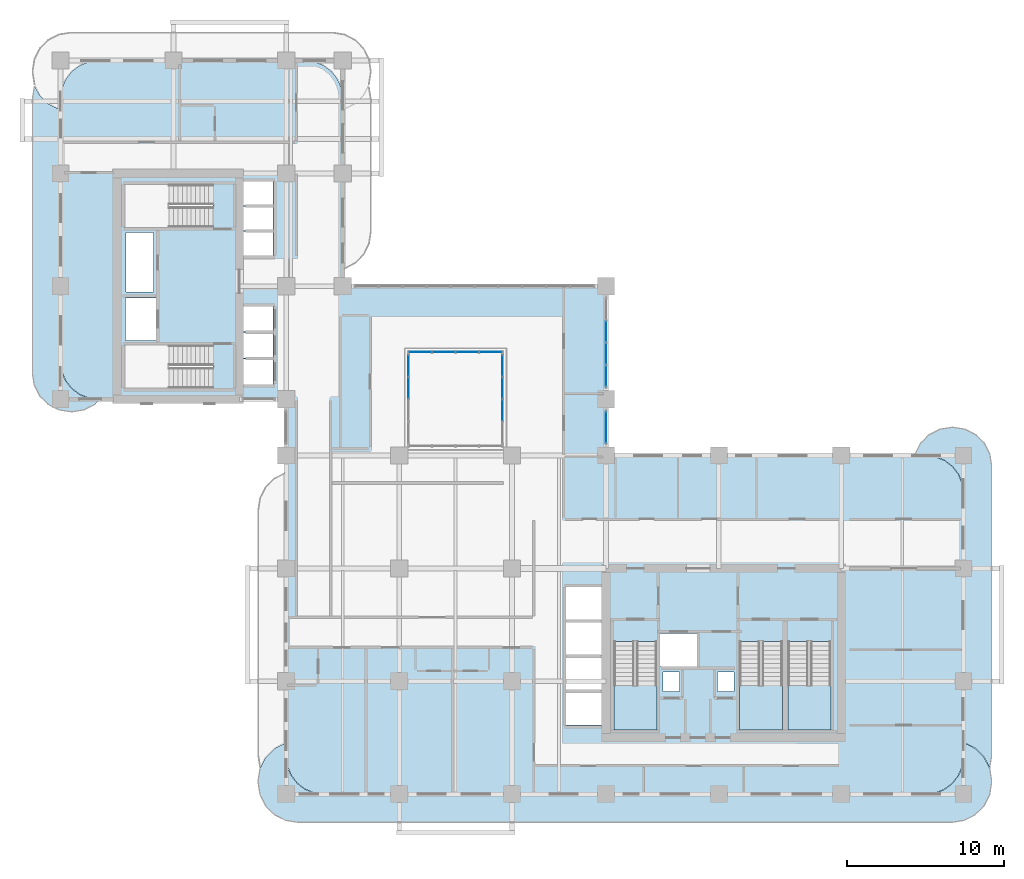
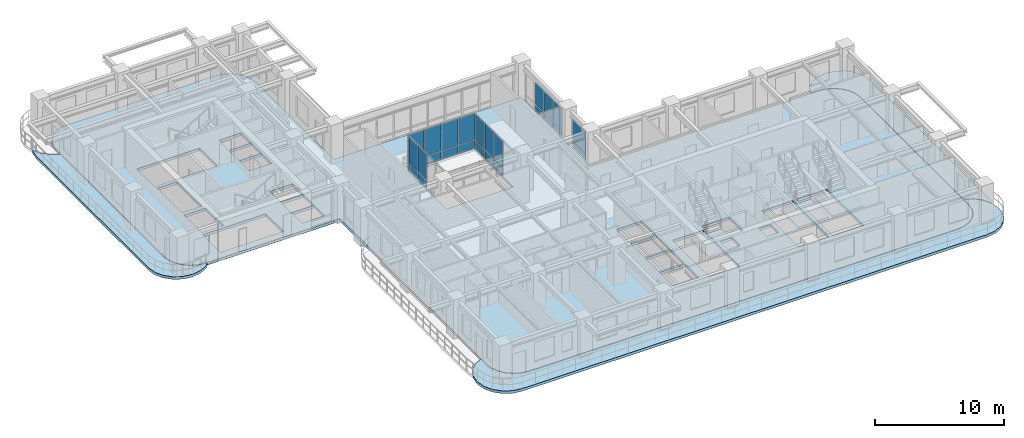
# One storey, part 10 of 22: 26 plates, 7 slabs, 8 elements without a shape of their own.
"""IFC4 building model written with IfcOpenShell, lengths in metres."""

from ifc_helpers import new_model, si_unit, derived_unit, direction, frame, origin, origin_2d, place, context, subcontext, project, spatial, polyline, rectangle, outline, extrude, source, transform, mapped, material, layer, layer_set, type_object, element, aggregate, save


model = new_model("IFC4")

# Units and contexts
model_context = context("Model", 3, precision=1e-05, world=origin(), true_north=direction((0.0, 1.0)))
body_context = subcontext(model_context, "Body", "Model", "MODEL_VIEW")
ifc_project = project(units=[si_unit("LENGTHUNIT", "METRE"), si_unit("AREAUNIT", "SQUARE_METRE"), si_unit("VOLUMEUNIT", "CUBIC_METRE"), si_unit("PLANEANGLEUNIT", "RADIAN"), si_unit("MASSUNIT", "GRAM", prefix="KILO"), si_unit("THERMODYNAMICTEMPERATUREUNIT", "KELVIN"), si_unit("POWERUNIT", "WATT"), derived_unit("THERMALTRANSMITTANCEUNIT", [(si_unit("POWERUNIT", "WATT"), 1), (si_unit("AREAUNIT", "SQUARE_METRE"), -1), (si_unit("THERMODYNAMICTEMPERATUREUNIT", "KELVIN"), -1)])], contexts=[model_context])

# Site, building, storey
site_placement = place(None, origin())
site = spatial("IfcSite", under=ifc_project, at=site_placement, CompositionType="ELEMENT")
building_placement = place(site_placement, origin())
building = spatial("IfcBuilding", under=site, at=building_placement, Name="Zahravan Archway Hotel and Residences", CompositionType="ELEMENT")
storey_placement = place(building_placement, frame((0.0, 0.0, 80.5)))
storey = spatial("IfcBuildingStorey", under=building, at=storey_placement, Name="L19", CompositionType="ELEMENT", Elevation=80.5)

# Slabs
ifc_material_1 = material(Name="Concrete C45/55", Category="concrete")
ifc_layer_1 = layer(ifc_material_1, 0.25, Name="Concrete C45/55", Category="concrete")
ifc_layer_set_1 = layer_set([ifc_layer_1], Name="Concrete C45/55")
slab_type_1 = type_object("IfcSlabType", Name="SLB-BALC-250", PredefinedType="FLOOR", material=ifc_layer_set_1)
slab_1_placement = place(storey_placement, frame((0.0, 0.0, -0.25)))
element("IfcSlab", 1, at=slab_1_placement, inside=storey, type_object=slab_type_1, Name="L19 Wing A South Rounded Balcony Band", PredefinedType="FLOOR", context=body_context, shape_type="SweptSolid", body=[
    extrude(outline(polyline([(57.637939453125, 3.275146484375), (58.348876953125, 2.9130859375), (58.9130859375, 2.348876953125), (59.275146484375, 1.637939453125), (59.39990234375, 0.85009765625), (59.39990234375, 0.75), (59.275146484375, -0.0380859375), (58.9130859375, -0.748779296875), (58.348876953125, -1.31298828125), (57.637939453125, -1.67529296875), (56.85009765625, -1.800048828125), (15.14990234375, -1.800048828125), (14.362060546875, -1.67529296875), (13.651123046875, -1.31298828125), (13.0869140625, -0.748779296875), (12.724853515625, -0.0380859375), (12.60009765625, 0.75), (12.60009765625, 0.85009765625), (12.724853515625, 1.637939453125), (13.0869140625, 2.348876953125), (13.651123046875, 2.9130859375), (14.362060546875, 3.275146484375), (14.3798828125, 3.278076171875), (14.3798828125, 2.39990234375), (14.380126953125, 2.3974609375), (14.4619140625, 1.776123046875), (14.46240234375, 1.7744140625), (14.462646484375, 1.772705078125), (14.46337890625, 1.77099609375), (14.702880859375, 1.1923828125), (14.703857421875, 1.19091796875), (14.70458984375, 1.189208984375), (14.70556640625, 1.187744140625), (15.0869140625, 0.690673828125), (15.088134765625, 0.689453125), (15.08935546875, 0.688232421875), (15.0908203125, 0.68701171875), (15.587890625, 0.3056640625), (15.58935546875, 0.3046875), (15.5908203125, 0.3037109375), (15.59228515625, 0.302978515625), (16.171142578125, 0.063232421875), (16.1728515625, 0.062744140625), (16.174560546875, 0.062255859375), (16.17626953125, 0.06201171875), (16.79736328125, -0.019775390625), (16.800048828125, -0.02001953125), (55.199951171875, -0.02001953125), (55.20263671875, -0.019775390625), (55.82373046875, 0.06201171875), (55.825439453125, 0.062255859375), (55.8271484375, 0.062744140625), (55.828857421875, 0.063232421875), (56.40771484375, 0.302978515625), (56.4091796875, 0.3037109375), (56.41064453125, 0.3046875), (56.412109375, 0.3056640625), (56.9091796875, 0.68701171875), (56.91064453125, 0.688232421875), (56.911865234375, 0.689453125), (56.9130859375, 0.690673828125), (57.29443359375, 1.187744140625), (57.29541015625, 1.189208984375), (57.296142578125, 1.19091796875), (57.297119140625, 1.1923828125), (57.53662109375, 1.77099609375), (57.537353515625, 1.772705078125), (57.53759765625, 1.7744140625), (57.5380859375, 1.776123046875), (57.619873046875, 2.3974609375), (57.6201171875, 2.39990234375), (57.6201171875, 3.278076171875), (57.637939453125, 3.275146484375)])), origin(), (0.0, 0.0, 1.0), 0.25),
])
slab_2_placement = place(storey_placement, frame((0.0, 0.0, -0.25)))
element("IfcSlab", 2, at=slab_2_placement, inside=storey, type_object=slab_type_1, Name="L19 Wing A East Rounded Balcony Band", PredefinedType="FLOOR", context=body_context, shape_type="SweptSolid", body=[
    extrude(outline(polyline([(54.52001953125, 21.70703125), (54.867919921875, 22.39013671875), (55.409912109375, 22.93212890625), (56.093017578125, 23.280029296875), (56.85009765625, 23.39990234375), (56.949951171875, 23.39990234375), (57.70703125, 23.280029296875), (58.39013671875, 22.93212890625), (58.93212890625, 22.39013671875), (59.280029296875, 21.70703125), (59.39990234375, 20.949951171875), (59.39990234375, 2.449951171875), (59.280029296875, 1.69287109375), (59.27490234375, 1.6826171875), (58.930908203125, 2.35791015625), (58.9296875, 2.35986328125), (58.928466796875, 2.361572265625), (58.927001953125, 2.363037109375), (58.363037109375, 2.927001953125), (58.361572265625, 2.928466796875), (58.35986328125, 2.9296875), (58.35791015625, 2.930908203125), (57.647216796875, 3.29296875), (57.645263671875, 3.2939453125), (57.643310546875, 3.29443359375), (57.64111328125, 3.294921875), (57.623046875, 3.2978515625), (57.62109375, 3.298095703125), (57.6201171875, 3.298095703125), (57.6201171875, 19.199951171875), (57.619873046875, 19.20263671875), (57.5380859375, 19.82373046875), (57.53759765625, 19.825439453125), (57.537353515625, 19.8271484375), (57.53662109375, 19.828857421875), (57.297119140625, 20.40771484375), (57.296142578125, 20.4091796875), (57.29541015625, 20.41064453125), (57.29443359375, 20.412109375), (56.9130859375, 20.9091796875), (56.911865234375, 20.91064453125), (56.91064453125, 20.911865234375), (56.9091796875, 20.9130859375), (56.412109375, 21.29443359375), (56.41064453125, 21.29541015625), (56.4091796875, 21.296142578125), (56.40771484375, 21.297119140625), (55.828857421875, 21.53662109375), (55.8271484375, 21.537353515625), (55.825439453125, 21.53759765625), (55.82373046875, 21.5380859375), (55.20263671875, 21.619873046875), (55.199951171875, 21.6201171875), (54.506103515625, 21.6201171875), (54.52001953125, 21.70703125)])), origin(), (0.0, 0.0, 1.0), 0.25),
])
slab_3_placement = place(storey_placement, frame((0.0, 0.0, -0.25)))
element("IfcSlab", 3, at=slab_3_placement, inside=storey, type_object=slab_type_1, Name="L19 Wing B West Rounded Balcony Band", PredefinedType="FLOOR", context=body_context, shape_type="SweptSolid", body=[
    extrude(outline(polyline([(2.190185546875, 24.867919921875), (1.507080078125, 24.52001953125), (0.75, 24.39990234375), (0.64990234375, 24.39990234375), (-0.107177734375, 24.52001953125), (-0.7900390625, 24.867919921875), (-1.33203125, 25.409912109375), (-1.68017578125, 26.093017578125), (-1.800048828125, 26.85009765625), (-1.800048828125, 44.35009765625), (-1.68017578125, 45.107177734375), (-1.64404296875, 45.177978515625), (-1.349853515625, 44.600830078125), (-1.348876953125, 44.59912109375), (-1.34765625, 44.597412109375), (-1.34619140625, 44.595703125), (-0.80419921875, 44.0537109375), (-0.802734375, 44.052490234375), (-0.801025390625, 44.051025390625), (-0.79931640625, 44.050048828125), (-0.1162109375, 43.7021484375), (-0.1142578125, 43.701171875), (-0.1123046875, 43.70068359375), (-0.110107421875, 43.7001953125), (-0.023193359375, 43.686279296875), (-0.021240234375, 43.68603515625), (-0.02001953125, 43.68603515625), (-0.02001953125, 27.60009765625), (-0.019775390625, 27.597412109375), (0.06201171875, 26.976318359375), (0.062255859375, 26.974609375), (0.062744140625, 26.972900390625), (0.063232421875, 26.97119140625), (0.302978515625, 26.392333984375), (0.3037109375, 26.390869140625), (0.3046875, 26.389404296875), (0.3056640625, 26.3876953125), (0.68701171875, 25.890625), (0.688232421875, 25.889404296875), (0.689453125, 25.88818359375), (0.690673828125, 25.886962890625), (1.187744140625, 25.505615234375), (1.189208984375, 25.504638671875), (1.19091796875, 25.50390625), (1.1923828125, 25.5029296875), (1.77099609375, 25.26318359375), (1.772705078125, 25.2626953125), (1.7744140625, 25.26220703125), (1.776123046875, 25.261962890625), (2.3974609375, 25.18017578125), (2.39990234375, 25.179931640625), (2.502197265625, 25.179931640625), (2.190185546875, 24.867919921875)])), origin(), (0.0, 0.0, 1.0), 0.25),
])
ifc_layer_2 = layer(ifc_material_1, 0.25, Name="Concrete C45/55", Category="concrete")
ifc_layer_set_2 = layer_set([ifc_layer_2], Name="Concrete C45/55")
slab_type_2 = type_object("IfcSlabType", Name="SLB-FLR-250", PredefinedType="FLOOR", material=ifc_layer_set_2)
slab_4_placement = place(storey_placement, frame((0.0, 0.0, -0.25)))
element("IfcSlab", 4, at=slab_4_placement, inside=storey, type_object=slab_type_2, Name="L19 Floor Slab LB", PredefinedType="FLOOR", context=body_context, shape_type="SweptSolid", body=[
    extrude(outline(polyline([(34.800048828125, 21.60009765625), (34.800048828125, 32.39990234375), (18.0, 32.39990234375), (18.0, 44.39990234375), (17.918212890625, 45.021240234375), (17.678466796875, 45.60009765625), (17.297119140625, 46.09716796875), (16.800048828125, 46.478515625), (16.22119140625, 46.71826171875), (15.60009765625, 46.800048828125), (2.39990234375, 46.800048828125), (1.77880859375, 46.71826171875), (1.199951171875, 46.478515625), (0.702880859375, 46.09716796875), (0.321533203125, 45.60009765625), (0.081787109375, 45.021240234375), (0.0, 44.39990234375), (0.0, 27.60009765625), (0.081787109375, 26.978759765625), (0.321533203125, 26.39990234375), (0.702880859375, 25.90283203125), (1.199951171875, 25.521484375), (1.77880859375, 25.28173828125), (2.39990234375, 25.199951171875), (14.39990234375, 25.199951171875), (14.39990234375, 19.199951171875), (14.39990234375, 19.10009765625), (14.39990234375, 2.39990234375), (14.481689453125, 1.77880859375), (14.721435546875, 1.199951171875), (15.102783203125, 0.702880859375), (15.60009765625, 0.321533203125), (16.1787109375, 0.081787109375), (16.800048828125, 0.0), (55.199951171875, 0.0), (55.8212890625, 0.081787109375), (56.39990234375, 0.321533203125), (56.897216796875, 0.702880859375), (57.278564453125, 1.199951171875), (57.518310546875, 1.77880859375), (57.60009765625, 2.39990234375), (57.60009765625, 19.199951171875), (57.518310546875, 19.8212890625), (57.278564453125, 20.39990234375), (56.897216796875, 20.897216796875), (56.39990234375, 21.278564453125), (55.8212890625, 21.518310546875), (55.199951171875, 21.60009765625), (34.800048828125, 21.60009765625)]), holes=[polyline([(35.300048828125, 9.72998046875), (35.300048828125, 4.10009765625), (38.0400390625, 4.10009765625), (38.0400390625, 9.72998046875), (35.300048828125, 9.72998046875)]), polyline([(43.320068359375, 9.72998046875), (43.320068359375, 4.10009765625), (46.06005859375, 4.10009765625), (46.06005859375, 9.72998046875), (43.320068359375, 9.72998046875)]), polyline([(46.39990234375, 9.72998046875), (46.39990234375, 4.10009765625), (49.139892578125, 4.10009765625), (49.139892578125, 9.72998046875), (46.39990234375, 9.72998046875)]), polyline([(9.72998046875, 28.639892578125), (4.10009765625, 28.639892578125), (4.10009765625, 25.89990234375), (9.72998046875, 25.89990234375), (9.72998046875, 28.639892578125)]), polyline([(9.72998046875, 38.89990234375), (4.10009765625, 38.89990234375), (4.10009765625, 36.159912109375), (9.72998046875, 36.159912109375), (9.72998046875, 38.89990234375)]), polyline([(38.179931640625, 8.14990234375), (40.699951171875, 8.14990234375), (40.699951171875, 10.25), (38.179931640625, 10.25), (38.179931640625, 8.14990234375)]), polyline([(4.14990234375, 28.949951171875), (6.10009765625, 28.949951171875), (6.10009765625, 31.64990234375), (4.14990234375, 31.64990234375), (4.14990234375, 28.949951171875)]), polyline([(11.550048828125, 26.14990234375), (13.550048828125, 26.14990234375), (13.550048828125, 27.75), (11.550048828125, 27.75), (11.550048828125, 26.14990234375)]), polyline([(11.550048828125, 27.830078125), (13.550048828125, 27.830078125), (13.550048828125, 29.429931640625), (11.550048828125, 29.429931640625), (11.550048828125, 27.830078125)]), polyline([(11.550048828125, 29.510009765625), (13.550048828125, 29.510009765625), (13.550048828125, 31.110107421875), (11.550048828125, 31.110107421875), (11.550048828125, 29.510009765625)]), polyline([(11.550048828125, 34.35009765625), (13.550048828125, 34.35009765625), (13.550048828125, 35.889892578125), (11.550048828125, 35.889892578125), (11.550048828125, 34.35009765625)]), polyline([(11.550048828125, 35.949951171875), (13.550048828125, 35.949951171875), (13.550048828125, 37.489990234375), (11.550048828125, 37.489990234375), (11.550048828125, 35.949951171875)]), polyline([(11.550048828125, 37.550048828125), (13.550048828125, 37.550048828125), (13.550048828125, 39.090087890625), (11.550048828125, 39.090087890625), (11.550048828125, 37.550048828125)]), polyline([(32.25, 4.39990234375), (34.550048828125, 4.39990234375), (34.550048828125, 6.47998046875), (32.25, 6.47998046875), (32.25, 4.39990234375)]), polyline([(32.25, 6.639892578125), (34.550048828125, 6.639892578125), (34.550048828125, 8.719970703125), (32.25, 8.719970703125), (32.25, 6.639892578125)]), polyline([(32.25, 8.8798828125), (34.550048828125, 8.8798828125), (34.550048828125, 10.9599609375), (32.25, 10.9599609375), (32.25, 8.8798828125)]), polyline([(32.25, 11.1201171875), (34.550048828125, 11.1201171875), (34.550048828125, 13.199951171875), (32.25, 13.199951171875), (32.25, 11.1201171875)]), polyline([(22.199951171875, 22.199951171875), (28.199951171875, 22.199951171875), (28.199951171875, 28.199951171875), (22.199951171875, 28.199951171875), (22.199951171875, 22.199951171875)]), polyline([(38.419921875, 6.56005859375), (39.5, 6.56005859375), (39.5, 7.780029296875), (38.419921875, 7.780029296875), (38.419921875, 6.56005859375)]), polyline([(41.89990234375, 6.56005859375), (42.9599609375, 6.56005859375), (42.9599609375, 7.780029296875), (41.89990234375, 7.780029296875), (41.89990234375, 6.56005859375)]), polyline([(4.179931640625, 32.050048828125), (5.93994140625, 32.050048828125), (5.93994140625, 35.840087890625), (4.179931640625, 35.840087890625), (4.179931640625, 32.050048828125)])]), origin(), (0.0, 0.0, 1.0), 0.25),
])

# Stair, slab
ifc_material_2 = material(Name="Concrete C50/60", Category="concrete")
stair_type = type_object("IfcStairType", Name="STR-CORE-1300", PredefinedType="HALF_TURN_STAIR", material=ifc_material_2)
stair_1_placement = place(storey_placement, origin())
stair_1 = element("IfcStair", 5, at=stair_1_placement, inside=storey, type_object=stair_type, Name="L19 Core A Exit Stair 1", PredefinedType="HALF_TURN_STAIR")
ifc_layer_3 = layer(ifc_material_2, 0.199951171875, Name="Concrete C50/60", Category="concrete")
ifc_layer_set_3 = layer_set([ifc_layer_3], Name="Concrete C50/60")
slab_type_3 = type_object("IfcSlabType", Name="SLB-LND-200", PredefinedType="LANDING", material=ifc_layer_set_3)
slab_5_placement = place(storey_placement, frame((0.0, 0.0, 1.64990234375)))
slab_5 = element("IfcSlab", 6, at=slab_5_placement, type_object=slab_type_3, Name="ST-A1 landing 1", PredefinedType="LANDING", context=body_context, shape_type="SweptSolid", body=[
    extrude(outline(polyline([(35.300048828125, 6.929931640625), (35.300048828125, 4.10009765625), (38.0400390625, 4.10009765625), (38.0400390625, 6.929931640625), (35.300048828125, 6.929931640625)])), origin(), (0.0, 0.0, 1.0), 0.2001953125),
])
aggregate(stair_1, [slab_5])

stair_2_placement = place(storey_placement, origin())
stair_2 = element("IfcStair", 7, at=stair_2_placement, inside=storey, type_object=stair_type, Name="L19 Core A Exit Stair 2", PredefinedType="HALF_TURN_STAIR")
slab_6_placement = place(storey_placement, frame((0.0, 0.0, 1.64990234375)))
slab_6 = element("IfcSlab", 8, at=slab_6_placement, type_object=slab_type_3, Name="ST-A2 landing 1", PredefinedType="LANDING", context=body_context, shape_type="SweptSolid", body=[
    extrude(outline(polyline([(43.320068359375, 6.929931640625), (43.320068359375, 4.10009765625), (46.06005859375, 4.10009765625), (46.06005859375, 6.929931640625), (43.320068359375, 6.929931640625)])), origin(), (0.0, 0.0, 1.0), 0.2001953125),
])
aggregate(stair_2, [slab_6])

stair_3_placement = place(storey_placement, origin())
stair_3 = element("IfcStair", 9, at=stair_3_placement, inside=storey, type_object=stair_type, Name="L19 Core A Exit Stair 3", PredefinedType="HALF_TURN_STAIR")
slab_7_placement = place(storey_placement, frame((0.0, 0.0, 1.64990234375)))
slab_7 = element("IfcSlab", 10, at=slab_7_placement, type_object=slab_type_3, Name="ST-A3 landing 1", PredefinedType="LANDING", context=body_context, shape_type="SweptSolid", body=[
    extrude(outline(polyline([(46.39990234375, 6.929931640625), (46.39990234375, 4.10009765625), (49.139892578125, 4.10009765625), (49.139892578125, 6.929931640625), (46.39990234375, 6.929931640625)])), origin(), (0.0, 0.0, 1.0), 0.2001953125),
])
aggregate(stair_3, [slab_7])

# Curtain wall, plates
ifc_material_3 = material(Name="Bronze-Anodized Unitised Aluminium & Low-E Glass", Category="aluminium")
ifc_layer_4 = layer(ifc_material_3, 0.179931640625, Name="Bronze-Anodized Unitised Aluminium & Low-E Glass", Category="aluminium")
ifc_layer_set_4 = layer_set([ifc_layer_4], Name="Bronze-Anodized Unitised Aluminium & Low-E Glass")
curtain_wall_type = type_object("IfcCurtainWallType", Name="CW-ATR-GLAZ", PredefinedType="NOTDEFINED", material=ifc_layer_set_4)
curtain_wall_1_placement = place(storey_placement, origin())
curtain_wall_1 = element("IfcCurtainWall", 11, at=curtain_wall_1_placement, inside=storey, type_object=curtain_wall_type, Name="L19 Curtain Wall CW-L19-HNG-E-2", PredefinedType="NOTDEFINED")
ifc_material_4 = material(Name="Insulated Terracotta Spandrel Panel", Category="masonry")
ifc_layer_5 = layer(ifc_material_4, 0.0400390625, Name="Insulated Terracotta Spandrel Panel", Category="masonry")
ifc_layer_set_5 = layer_set([ifc_layer_5], Name="Insulated Terracotta Spandrel Panel")
plate_type_1 = type_object("IfcPlateType", Name="CWP-SPN-40", PredefinedType="SHEET", material=ifc_layer_set_5)
shared_shape_1 = source(origin(), body_context, "Body", "SweptSolid", [
    extrude(rectangle(XDim=1.340087890625, YDim=0.0400390625, at=origin_2d()), origin(), (0.0, 0.0, 1.0), 0.552490234375),
])
plate_1_placement = place(storey_placement, frame((34.800048828125, 26.669921875, 0.10009765625), z_axis=(0.0, 0.0, 1.0), x_axis=(0.0, 1.0, 0.0)))
plate_1 = element("IfcPlate", 12, at=plate_1_placement, type_object=plate_type_1, Name="CW-L19-HNG-E-2 Spandrel Panel 0", PredefinedType="SHEET", context=body_context, shape_type="MappedRepresentation", body=[
    mapped(shared_shape_1, transform((0.0, 0.0, 0.0), scale=1.0)),
])
plate_2_placement = place(storey_placement, frame((34.800048828125, 28.090087890625, 0.10009765625), z_axis=(0.0, 0.0, 1.0), x_axis=(0.0, 1.0, 0.0)))
plate_2 = element("IfcPlate", 13, at=plate_2_placement, type_object=plate_type_1, Name="CW-L19-HNG-E-2 Spandrel Panel 1", PredefinedType="SHEET", context=body_context, shape_type="MappedRepresentation", body=[
    mapped(shared_shape_1, transform((0.0, 0.0, 0.0), scale=1.0)),
])
plate_3_placement = place(storey_placement, frame((34.800048828125, 29.510009765625, 0.10009765625), z_axis=(0.0, 0.0, 1.0), x_axis=(0.0, 1.0, 0.0)))
plate_3 = element("IfcPlate", 14, at=plate_3_placement, type_object=plate_type_1, Name="CW-L19-HNG-E-2 Spandrel Panel 2", PredefinedType="SHEET", context=body_context, shape_type="MappedRepresentation", body=[
    mapped(shared_shape_1, transform((0.0, 0.0, 0.0), scale=1.0)),
])
ifc_material_5 = material(Name="Double-Silver Low-E Insulated Vision Glass", Category="glass")
ifc_layer_6 = layer(ifc_material_5, 0.028076171875, Name="Double-Silver Low-E Insulated Vision Glass", Category="glass")
ifc_layer_set_6 = layer_set([ifc_layer_6], Name="Double-Silver Low-E Insulated Vision Glass")
plate_type_2 = type_object("IfcPlateType", Name="CWP-GLZ-28", PredefinedType="CURTAIN_PANEL", material=ifc_layer_set_6)
shared_shape_2 = source(origin(), body_context, "Body", "SweptSolid", [
    extrude(rectangle(XDim=1.340087890625, YDim=0.028076171875, at=origin_2d()), origin(), (0.0, 0.0, 1.0), 2.052490234375),
])
plate_4_placement = place(storey_placement, frame((34.800048828125, 26.669921875, 0.732421875), z_axis=(0.0, 0.0, 1.0), x_axis=(0.0, 1.0, 0.0)))
plate_4 = element("IfcPlate", 15, at=plate_4_placement, type_object=plate_type_2, Name="CW-L19-HNG-E-2 Low-E Vision Panel 0", PredefinedType="CURTAIN_PANEL", context=body_context, shape_type="MappedRepresentation", body=[
    mapped(shared_shape_2, transform((0.0, 0.0, 0.0), scale=1.0)),
])
plate_5_placement = place(storey_placement, frame((34.800048828125, 28.090087890625, 0.732421875), z_axis=(0.0, 0.0, 1.0), x_axis=(0.0, 1.0, 0.0)))
plate_5 = element("IfcPlate", 16, at=plate_5_placement, type_object=plate_type_2, Name="CW-L19-HNG-E-2 Low-E Vision Panel 1", PredefinedType="CURTAIN_PANEL", context=body_context, shape_type="MappedRepresentation", body=[
    mapped(shared_shape_2, transform((0.0, 0.0, 0.0), scale=1.0)),
])
plate_6_placement = place(storey_placement, frame((34.800048828125, 29.510009765625, 0.732421875), z_axis=(0.0, 0.0, 1.0), x_axis=(0.0, 1.0, 0.0)))
plate_6 = element("IfcPlate", 17, at=plate_6_placement, type_object=plate_type_2, Name="CW-L19-HNG-E-2 Low-E Vision Panel 2", PredefinedType="CURTAIN_PANEL", context=body_context, shape_type="MappedRepresentation", body=[
    mapped(shared_shape_2, transform((0.0, 0.0, 0.0), scale=1.0)),
])
aggregate(curtain_wall_1, [plate_1, plate_4, plate_2, plate_5, plate_3, plate_6])

curtain_wall_2_placement = place(storey_placement, origin())
curtain_wall_2 = element("IfcCurtainWall", 18, at=curtain_wall_2_placement, inside=storey, type_object=curtain_wall_type, Name="L19 Curtain Wall CW-L19-HNG-E-1", PredefinedType="NOTDEFINED")
shared_shape_3 = source(origin(), body_context, "Body", "SweptSolid", [
    extrude(rectangle(XDim=2.0, YDim=0.0400390625, at=origin_2d()), origin(), (0.0, 0.0, 1.0), 0.552490234375),
])
plate_7_placement = place(storey_placement, frame((34.800048828125, 23.39990234375, 0.10009765625), z_axis=(0.0, 0.0, 1.0), x_axis=(0.0, 1.0, 0.0)))
plate_7 = element("IfcPlate", 19, at=plate_7_placement, type_object=plate_type_1, Name="CW-L19-HNG-E-1 Spandrel Panel 0", PredefinedType="SHEET", context=body_context, shape_type="MappedRepresentation", body=[
    mapped(shared_shape_3, transform((0.0, 0.0, 0.0), scale=1.0)),
])
shared_shape_4 = source(origin(), body_context, "Body", "SweptSolid", [
    extrude(rectangle(XDim=2.0, YDim=0.028076171875, at=origin_2d()), origin(), (0.0, 0.0, 1.0), 2.052490234375),
])
plate_8_placement = place(storey_placement, frame((34.800048828125, 23.39990234375, 0.732421875), z_axis=(0.0, 0.0, 1.0), x_axis=(0.0, 1.0, 0.0)))
plate_8 = element("IfcPlate", 20, at=plate_8_placement, type_object=plate_type_2, Name="CW-L19-HNG-E-1 Low-E Vision Panel 0", PredefinedType="CURTAIN_PANEL", context=body_context, shape_type="MappedRepresentation", body=[
    mapped(shared_shape_4, transform((0.0, 0.0, 0.0), scale=1.0)),
])
aggregate(curtain_wall_2, [plate_7, plate_8])

curtain_wall_3_placement = place(storey_placement, origin())
curtain_wall_3 = element("IfcCurtainWall", 21, at=curtain_wall_3_placement, inside=storey, type_object=curtain_wall_type, Name="L19 Curtain Wall CW-ATR-L19-N-1", PredefinedType="NOTDEFINED")
shared_shape_5 = source(origin(), body_context, "Body", "SweptSolid", [
    extrude(rectangle(XDim=1.419921875, YDim=0.0400390625, at=origin_2d()), origin(), (0.0, 0.0, 1.0), 0.68798828125),
])
plate_9_placement = place(storey_placement, frame((22.949951171875, 28.199951171875, 0.10009765625), z_axis=(0.0, 0.0, 1.0), x_axis=(1.0, 0.0, 0.0)))
plate_9 = element("IfcPlate", 22, at=plate_9_placement, type_object=plate_type_1, Name="CW-ATR-L19-N-1 Spandrel Panel 0", PredefinedType="SHEET", context=body_context, shape_type="MappedRepresentation", body=[
    mapped(shared_shape_5, transform((0.0, 0.0, 0.0), scale=1.0)),
])
plate_10_placement = place(storey_placement, frame((24.449951171875, 28.199951171875, 0.10009765625), z_axis=(0.0, 0.0, 1.0), x_axis=(1.0, 0.0, 0.0)))
plate_10 = element("IfcPlate", 23, at=plate_10_placement, type_object=plate_type_1, Name="CW-ATR-L19-N-1 Spandrel Panel 1", PredefinedType="SHEET", context=body_context, shape_type="MappedRepresentation", body=[
    mapped(shared_shape_5, transform((0.0, 0.0, 0.0), scale=1.0)),
])
plate_11_placement = place(storey_placement, frame((25.949951171875, 28.199951171875, 0.10009765625), z_axis=(0.0, 0.0, 1.0), x_axis=(1.0, 0.0, 0.0)))
plate_11 = element("IfcPlate", 24, at=plate_11_placement, type_object=plate_type_1, Name="CW-ATR-L19-N-1 Spandrel Panel 2", PredefinedType="SHEET", context=body_context, shape_type="MappedRepresentation", body=[
    mapped(shared_shape_5, transform((0.0, 0.0, 0.0), scale=1.0)),
])
plate_12_placement = place(storey_placement, frame((27.449951171875, 28.199951171875, 0.10009765625), z_axis=(0.0, 0.0, 1.0), x_axis=(1.0, 0.0, 0.0)))
plate_12 = element("IfcPlate", 25, at=plate_12_placement, type_object=plate_type_1, Name="CW-ATR-L19-N-1 Spandrel Panel 3", PredefinedType="SHEET", context=body_context, shape_type="MappedRepresentation", body=[
    mapped(shared_shape_5, transform((0.0, 0.0, 0.0), scale=1.0)),
])
shared_shape_6 = source(origin(), body_context, "Body", "SweptSolid", [
    extrude(rectangle(XDim=1.419921875, YDim=0.028076171875, at=origin_2d()), origin(), (0.0, 0.0, 1.0), 2.48193359375),
])
plate_13_placement = place(storey_placement, frame((22.949951171875, 28.199951171875, 0.867919921875), z_axis=(0.0, 0.0, 1.0), x_axis=(1.0, 0.0, 0.0)))
plate_13 = element("IfcPlate", 26, at=plate_13_placement, type_object=plate_type_2, Name="CW-ATR-L19-N-1 Low-E Vision Panel 0", PredefinedType="CURTAIN_PANEL", context=body_context, shape_type="MappedRepresentation", body=[
    mapped(shared_shape_6, transform((0.0, 0.0, 0.0), scale=1.0)),
])
plate_14_placement = place(storey_placement, frame((24.449951171875, 28.199951171875, 0.867919921875), z_axis=(0.0, 0.0, 1.0), x_axis=(1.0, 0.0, 0.0)))
plate_14 = element("IfcPlate", 27, at=plate_14_placement, type_object=plate_type_2, Name="CW-ATR-L19-N-1 Low-E Vision Panel 1", PredefinedType="CURTAIN_PANEL", context=body_context, shape_type="MappedRepresentation", body=[
    mapped(shared_shape_6, transform((0.0, 0.0, 0.0), scale=1.0)),
])
plate_15_placement = place(storey_placement, frame((25.949951171875, 28.199951171875, 0.867919921875), z_axis=(0.0, 0.0, 1.0), x_axis=(1.0, 0.0, 0.0)))
plate_15 = element("IfcPlate", 28, at=plate_15_placement, type_object=plate_type_2, Name="CW-ATR-L19-N-1 Low-E Vision Panel 2", PredefinedType="CURTAIN_PANEL", context=body_context, shape_type="MappedRepresentation", body=[
    mapped(shared_shape_6, transform((0.0, 0.0, 0.0), scale=1.0)),
])
plate_16_placement = place(storey_placement, frame((27.449951171875, 28.199951171875, 0.867919921875), z_axis=(0.0, 0.0, 1.0), x_axis=(1.0, 0.0, 0.0)))
plate_16 = element("IfcPlate", 29, at=plate_16_placement, type_object=plate_type_2, Name="CW-ATR-L19-N-1 Low-E Vision Panel 3", PredefinedType="CURTAIN_PANEL", context=body_context, shape_type="MappedRepresentation", body=[
    mapped(shared_shape_6, transform((0.0, 0.0, 0.0), scale=1.0)),
])
aggregate(curtain_wall_3, [plate_9, plate_13, plate_10, plate_14, plate_11, plate_15, plate_12, plate_16])

curtain_wall_4_placement = place(storey_placement, origin())
curtain_wall_4 = element("IfcCurtainWall", 30, at=curtain_wall_4_placement, inside=storey, type_object=curtain_wall_type, Name="L19 Curtain Wall CW-ATR-L19-W-1", PredefinedType="NOTDEFINED")
shared_shape_7 = source(origin(), body_context, "Body", "SweptSolid", [
    extrude(rectangle(XDim=1.344970703125, YDim=0.0400390625, at=origin_2d()), origin(), (0.0, 0.0, 1.0), 0.68798828125),
])
plate_17_placement = place(storey_placement, frame((22.199951171875, 25.91259765625, 0.10009765625), z_axis=(0.0, 0.0, 1.0), x_axis=(0.0, 1.0, 0.0)))
plate_17 = element("IfcPlate", 31, at=plate_17_placement, type_object=plate_type_1, Name="CW-ATR-L19-W-1 Spandrel Panel 2", PredefinedType="SHEET", context=body_context, shape_type="MappedRepresentation", body=[
    mapped(shared_shape_7, transform((0.0, 0.0, 0.0), scale=1.0)),
])
plate_18_placement = place(storey_placement, frame((22.199951171875, 27.33740234375, 0.10009765625), z_axis=(0.0, 0.0, 1.0), x_axis=(0.0, 1.0, 0.0)))
plate_18 = element("IfcPlate", 32, at=plate_18_placement, type_object=plate_type_1, Name="CW-ATR-L19-W-1 Spandrel Panel 3", PredefinedType="SHEET", context=body_context, shape_type="MappedRepresentation", body=[
    mapped(shared_shape_7, transform((0.0, 0.0, 0.0), scale=1.0)),
])

curtain_wall_5_placement = place(storey_placement, origin())
curtain_wall_5 = element("IfcCurtainWall", 33, at=curtain_wall_5_placement, inside=storey, type_object=curtain_wall_type, Name="L19 Curtain Wall CW-ATR-L19-E-1", PredefinedType="NOTDEFINED")
plate_19_placement = place(storey_placement, frame((28.199951171875, 24.487548828125, 0.10009765625), z_axis=(0.0, 0.0, 1.0), x_axis=(0.0, 1.0, 0.0)))
plate_19 = element("IfcPlate", 34, at=plate_19_placement, type_object=plate_type_1, Name="CW-ATR-L19-E-1 Spandrel Panel 1", PredefinedType="SHEET", context=body_context, shape_type="MappedRepresentation", body=[
    mapped(shared_shape_7, transform((0.0, 0.0, 0.0), scale=1.0)),
])
plate_20_placement = place(storey_placement, frame((28.199951171875, 25.91259765625, 0.10009765625), z_axis=(0.0, 0.0, 1.0), x_axis=(0.0, 1.0, 0.0)))
plate_20 = element("IfcPlate", 35, at=plate_20_placement, type_object=plate_type_1, Name="CW-ATR-L19-E-1 Spandrel Panel 2", PredefinedType="SHEET", context=body_context, shape_type="MappedRepresentation", body=[
    mapped(shared_shape_7, transform((0.0, 0.0, 0.0), scale=1.0)),
])
plate_21_placement = place(storey_placement, frame((28.199951171875, 27.33740234375, 0.10009765625), z_axis=(0.0, 0.0, 1.0), x_axis=(0.0, 1.0, 0.0)))
plate_21 = element("IfcPlate", 36, at=plate_21_placement, type_object=plate_type_1, Name="CW-ATR-L19-E-1 Spandrel Panel 3", PredefinedType="SHEET", context=body_context, shape_type="MappedRepresentation", body=[
    mapped(shared_shape_7, transform((0.0, 0.0, 0.0), scale=1.0)),
])

# Plate
shared_shape_8 = source(origin(), body_context, "Body", "SweptSolid", [
    extrude(rectangle(XDim=1.344970703125, YDim=0.028076171875, at=origin_2d()), origin(), (0.0, 0.0, 1.0), 2.48193359375),
])
plate_22_placement = place(storey_placement, frame((22.199951171875, 25.91259765625, 0.867919921875), z_axis=(0.0, 0.0, 1.0), x_axis=(0.0, 1.0, 0.0)))
plate_22 = element("IfcPlate", 37, at=plate_22_placement, type_object=plate_type_2, Name="CW-ATR-L19-W-1 Low-E Vision Panel 2", PredefinedType="CURTAIN_PANEL", context=body_context, shape_type="MappedRepresentation", body=[
    mapped(shared_shape_8, transform((0.0, 0.0, 0.0), scale=1.0)),
])

plate_23_placement = place(storey_placement, frame((22.199951171875, 27.33740234375, 0.867919921875), z_axis=(0.0, 0.0, 1.0), x_axis=(0.0, 1.0, 0.0)))
plate_23 = element("IfcPlate", 38, at=plate_23_placement, type_object=plate_type_2, Name="CW-ATR-L19-W-1 Low-E Vision Panel 3", PredefinedType="CURTAIN_PANEL", context=body_context, shape_type="MappedRepresentation", body=[
    mapped(shared_shape_8, transform((0.0, 0.0, 0.0), scale=1.0)),
])

aggregate(curtain_wall_4, [plate_17, plate_22, plate_18, plate_23])

plate_24_placement = place(storey_placement, frame((28.199951171875, 24.487548828125, 0.867919921875), z_axis=(0.0, 0.0, 1.0), x_axis=(0.0, 1.0, 0.0)))
plate_24 = element("IfcPlate", 39, at=plate_24_placement, type_object=plate_type_2, Name="CW-ATR-L19-E-1 Low-E Vision Panel 1", PredefinedType="CURTAIN_PANEL", context=body_context, shape_type="MappedRepresentation", body=[
    mapped(shared_shape_8, transform((0.0, 0.0, 0.0), scale=1.0)),
])

plate_25_placement = place(storey_placement, frame((28.199951171875, 25.91259765625, 0.867919921875), z_axis=(0.0, 0.0, 1.0), x_axis=(0.0, 1.0, 0.0)))
plate_25 = element("IfcPlate", 40, at=plate_25_placement, type_object=plate_type_2, Name="CW-ATR-L19-E-1 Low-E Vision Panel 2", PredefinedType="CURTAIN_PANEL", context=body_context, shape_type="MappedRepresentation", body=[
    mapped(shared_shape_8, transform((0.0, 0.0, 0.0), scale=1.0)),
])

plate_26_placement = place(storey_placement, frame((28.199951171875, 27.33740234375, 0.867919921875), z_axis=(0.0, 0.0, 1.0), x_axis=(0.0, 1.0, 0.0)))
plate_26 = element("IfcPlate", 41, at=plate_26_placement, type_object=plate_type_2, Name="CW-ATR-L19-E-1 Low-E Vision Panel 3", PredefinedType="CURTAIN_PANEL", context=body_context, shape_type="MappedRepresentation", body=[
    mapped(shared_shape_8, transform((0.0, 0.0, 0.0), scale=1.0)),
])

aggregate(curtain_wall_5, [plate_19, plate_24, plate_20, plate_25, plate_21, plate_26])

save(model, "model.ifc")
